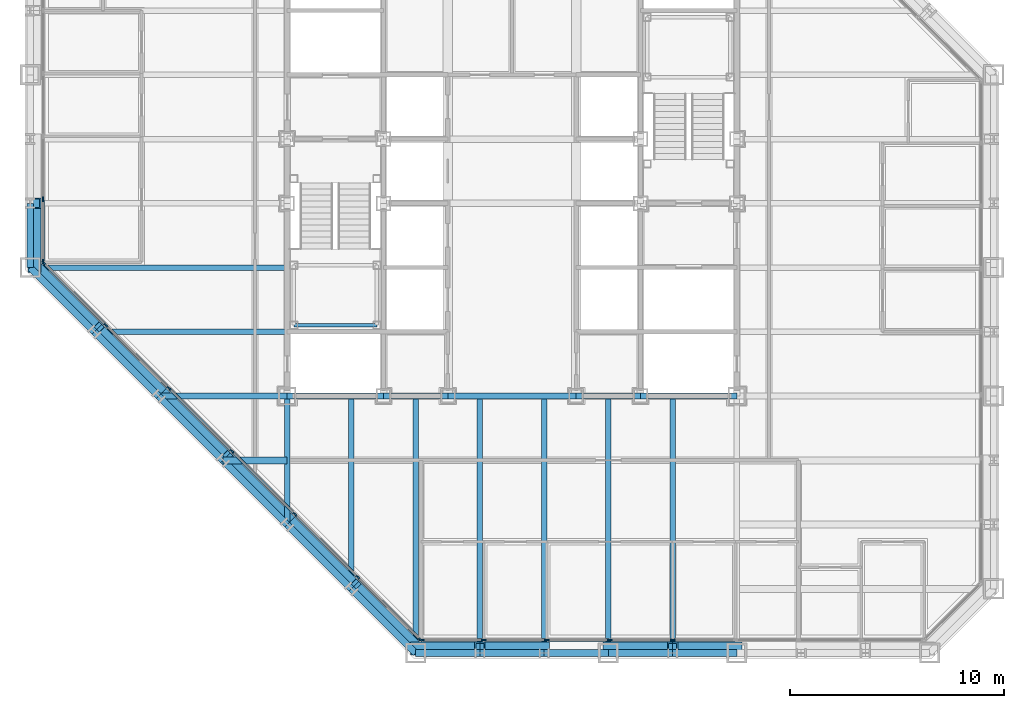
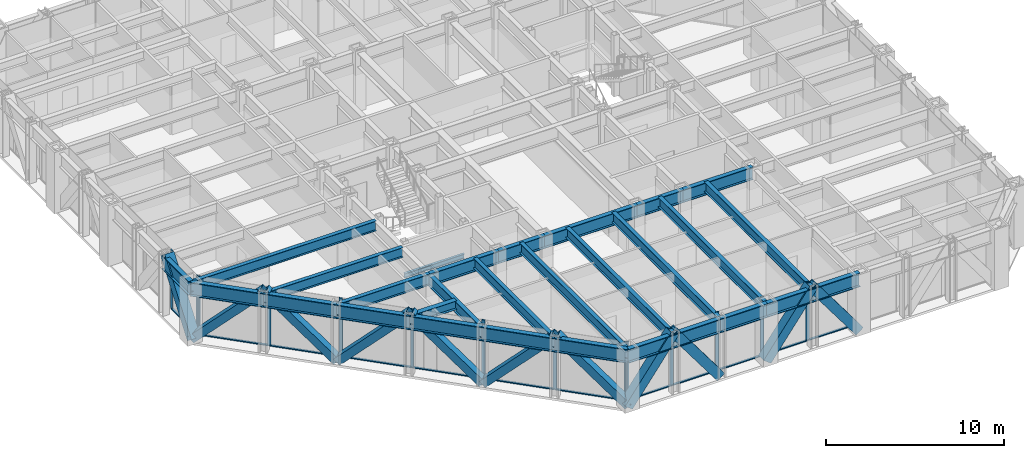
# One storey, part 4 of 16: 37 members, 29 beams, 3 elements without a shape of their own.
"""IFC4 building model written with IfcOpenShell, lengths in metres."""

from ifc_helpers import new_model, si_unit, direction, frame, origin, origin_2d, place, context, subcontext, project, spatial, rectangle, hollow_rectangle, i_section, extrude, material, layer, layer_set, material_profile, profile_set, type_object, element, aggregate, save


model = new_model("IFC4")

# Units and contexts
model_context = context("Model", 3, precision=1e-05, world=origin(), true_north=direction((0.0, 1.0)))
body_context = subcontext(model_context, "Body", "Model", "MODEL_VIEW")
ifc_project = project(units=[si_unit("LENGTHUNIT", "METRE"), si_unit("AREAUNIT", "SQUARE_METRE"), si_unit("VOLUMEUNIT", "CUBIC_METRE"), si_unit("PLANEANGLEUNIT", "RADIAN"), si_unit("MASSUNIT", "GRAM", prefix="KILO")], contexts=[model_context])

# Site, building, storey
site_placement = place(None, origin())
site = spatial("IfcSite", under=ifc_project, at=site_placement, CompositionType="ELEMENT")
building_placement = place(site_placement, origin())
building = spatial("IfcBuilding", under=site, at=building_placement, Name="Chuquiago Exchange Tower", CompositionType="ELEMENT")
storey_placement = place(building_placement, frame((0.0, 0.0, 106.800048828125)))
storey = spatial("IfcBuildingStorey", under=building, at=storey_placement, Name="L22", CompositionType="ELEMENT", Elevation=106.800048828125)

# Beams
ifc_material_1 = material(Name="Steel ASTM A992", Category="steel")
ifc_material_profile_1 = material_profile(ifc_material_1, i_section(OverallWidth=0.25390625, OverallDepth=0.683349609375, WebThickness=0.012451171875, FlangeThickness=0.018798828125, at=origin_2d()), Name="W27X94")
ifc_profile_set_1 = profile_set([ifc_material_profile_1], Name="Steel ASTM A992")
beam_type_1 = type_object("IfcBeamType", Name="B1 W27X94", PredefinedType="BEAM", material=ifc_profile_set_1)
beam_1_placement = place(storey_placement, frame((15.0, 12.0, 3.6982421875), z_axis=(0.0, -1.0, 0.0), x_axis=(1.0, 0.0, 0.0)))
element("IfcBeam", 1, at=beam_1_placement, inside=storey, type_object=beam_type_1, Name="FB-L23-infill-15_12-15_3-0", PredefinedType="BEAM", context=body_context, shape_type="SweptSolid", body=[
    extrude(i_section(OverallWidth=0.25390625, OverallDepth=0.683349609375, WebThickness=0.012451171875, FlangeThickness=0.018798828125, at=origin_2d()), origin(), (0.0, 0.0, 1.0), 9.0),
])
for number, where, z_axis, x_axis, name in (
    (2, (18.0, 12.0, 3.6982421875), (0.0, -1.0, 0.0), (1.0, 0.0, 0.0), "FB-L23-infill-18_12-18_-0-0"),
    (3, (21.0, 12.0, 3.6982421875), (0.0, -1.0, 0.0), (1.0, 0.0, 0.0), "FB-L23-infill-21_12-21_-0-0"),
    (4, (24.0, 12.0, 3.6982421875), (0.0, -1.0, 0.0), (1.0, 0.0, 0.0), "FB-L23-infill-24_12-24_-0-0"),
    (5, (27.0, 12.0, 3.6982421875), (0.0, -1.0, 0.0), (1.0, 0.0, 0.0), "FB-L23-infill-27_12-27_-0-0"),
    (6, (30.0, 12.0, 3.6982421875), (0.0, -1.0, 0.0), (1.0, 0.0, 0.0), "FB-L23-infill-30_12-30_-0-0"),
):
    element("IfcBeam", number, at=place(storey_placement, frame(where, z_axis=z_axis, x_axis=x_axis)), inside=storey, type_object=beam_type_1, Name=name, PredefinedType="BEAM", context=body_context, shape_type="SweptSolid", body=[
        extrude(i_section(OverallWidth=0.25390625, OverallDepth=0.683349609375, WebThickness=0.012451171875, FlangeThickness=0.018798828125, at=origin_2d()), origin(), (0.0, 0.0, 1.0), 12.0),
    ])
beam_2_placement = place(storey_placement, frame((12.0, 15.0, 3.6982421875), z_axis=(-1.0, 0.0, 0.0), x_axis=(0.0, -1.0, 0.0)))
element("IfcBeam", 7, at=beam_2_placement, inside=storey, type_object=beam_type_1, Name="FB-L23-infill-12_15-3_15-0", PredefinedType="BEAM", context=body_context, shape_type="SweptSolid", body=[
    extrude(i_section(OverallWidth=0.25390625, OverallDepth=0.683349609375, WebThickness=0.012451171875, FlangeThickness=0.018798828125, at=origin_2d()), origin(), (0.0, 0.0, 1.0), 9.0),
])
beam_3_placement = place(storey_placement, frame((12.0, 18.0, 3.6982421875), z_axis=(-1.0, 0.0, 0.0), x_axis=(0.0, -1.0, 0.0)))
element("IfcBeam", 8, at=beam_3_placement, inside=storey, type_object=beam_type_1, Name="FB-L23-infill-12_18--0_18-0", PredefinedType="BEAM", context=body_context, shape_type="SweptSolid", body=[
    extrude(i_section(OverallWidth=0.25390625, OverallDepth=0.683349609375, WebThickness=0.012451171875, FlangeThickness=0.018798828125, at=origin_2d()), origin(), (0.0, 0.0, 1.0), 12.0),
])
ifc_material_2 = material(Name="Steel ASTM A992", Category="steel")
ifc_material_profile_2 = material_profile(ifc_material_2, i_section(OverallWidth=0.3251953125, OverallDepth=0.612060546875, WebThickness=0.0126953125, FlangeThickness=0.01904296875, at=origin_2d()), Name="W24X104")
ifc_profile_set_2 = profile_set([ifc_material_profile_2], Name="Steel ASTM A992")
beam_type_2 = type_object("IfcBeamType", Name="B2 W24X104", PredefinedType="BEAM", material=ifc_profile_set_2)
beam_4_placement = place(storey_placement, frame((12.0, 9.0, 3.73388671875), z_axis=(-1.0, 0.0, 0.0), x_axis=(0.0, -1.0, 0.0)))
element("IfcBeam", 9, at=beam_4_placement, inside=storey, type_object=beam_type_2, Name="FB-L23-corner-12_9-9_9-0", PredefinedType="BEAM", context=body_context, shape_type="SweptSolid", body=[
    extrude(i_section(OverallWidth=0.3251953125, OverallDepth=0.612060546875, WebThickness=0.0126953125, FlangeThickness=0.01904296875, at=origin_2d()), origin(), (0.0, 0.0, 1.0), 3.0),
])
ifc_material_3 = material(Name="Steel ASTM A992", Category="steel")
ifc_material_profile_3 = material_profile(ifc_material_3, i_section(OverallWidth=0.2919921875, OverallDepth=0.8583984375, WebThickness=0.01708984375, FlangeThickness=0.031005859375, at=origin_2d()), Name="W33X169")
ifc_profile_set_3 = profile_set([ifc_material_profile_3], Name="Steel ASTM A992")
beam_type_3 = type_object("IfcBeamType", Name="B3 W33X169", PredefinedType="BEAM", material=ifc_profile_set_3)
beam_5_placement = place(storey_placement, frame((12.0, 12.0, 3.610595703125), z_axis=(1.0, 0.0, 0.0), x_axis=(0.0, 1.0, 0.0)))
element("IfcBeam", 10, at=beam_5_placement, inside=storey, type_object=beam_type_3, Name="CB-L23-12_12-16.5_12", PredefinedType="BEAM", context=body_context, shape_type="SweptSolid", body=[
    extrude(i_section(OverallWidth=0.2919921875, OverallDepth=0.8583984375, WebThickness=0.01708984375, FlangeThickness=0.031005859375, at=origin_2d()), origin(), (0.0, 0.0, 1.0), 4.5),
])
beam_6_placement = place(storey_placement, frame((16.5, 12.0, 3.610595703125), z_axis=(1.0, 0.0, 0.0), x_axis=(0.0, 1.0, 0.0)))
element("IfcBeam", 11, at=beam_6_placement, inside=storey, type_object=beam_type_3, Name="CB-L23-16.5_12-19.5_12", PredefinedType="BEAM", context=body_context, shape_type="SweptSolid", body=[
    extrude(i_section(OverallWidth=0.2919921875, OverallDepth=0.8583984375, WebThickness=0.01708984375, FlangeThickness=0.031005859375, at=origin_2d()), origin(), (0.0, 0.0, 1.0), 3.0),
])
beam_7_placement = place(storey_placement, frame((19.5, 12.0, 3.610595703125), z_axis=(1.0, 0.0, 0.0), x_axis=(0.0, 1.0, 0.0)))
element("IfcBeam", 12, at=beam_7_placement, inside=storey, type_object=beam_type_3, Name="CB-L23-19.5_12-25.5_12", PredefinedType="BEAM", context=body_context, shape_type="SweptSolid", body=[
    extrude(i_section(OverallWidth=0.2919921875, OverallDepth=0.8583984375, WebThickness=0.01708984375, FlangeThickness=0.031005859375, at=origin_2d()), origin(), (0.0, 0.0, 1.0), 6.0),
])
beam_8_placement = place(storey_placement, frame((25.5, 12.0, 3.610595703125), z_axis=(1.0, 0.0, 0.0), x_axis=(0.0, 1.0, 0.0)))
element("IfcBeam", 13, at=beam_8_placement, inside=storey, type_object=beam_type_3, Name="CB-L23-25.5_12-28.5_12", PredefinedType="BEAM", context=body_context, shape_type="SweptSolid", body=[
    extrude(i_section(OverallWidth=0.2919921875, OverallDepth=0.8583984375, WebThickness=0.01708984375, FlangeThickness=0.031005859375, at=origin_2d()), origin(), (0.0, 0.0, 1.0), 3.0),
])
beam_9_placement = place(storey_placement, frame((28.5, 12.0, 3.610595703125), z_axis=(1.0, 0.0, 0.0), x_axis=(0.0, 1.0, 0.0)))
element("IfcBeam", 14, at=beam_9_placement, inside=storey, type_object=beam_type_3, Name="CB-L23-28.5_12-33_12", PredefinedType="BEAM", context=body_context, shape_type="SweptSolid", body=[
    extrude(i_section(OverallWidth=0.2919921875, OverallDepth=0.8583984375, WebThickness=0.01708984375, FlangeThickness=0.031005859375, at=origin_2d()), origin(), (0.0, 0.0, 1.0), 4.5),
])

# Curtain wall, members
ifc_material_4 = material(Name="Aluminium curtain wall system", Category="aluminium")
ifc_layer_1 = layer(ifc_material_4, 0.22509765625)
ifc_layer_set_1 = layer_set([ifc_layer_1], Name="CW2 office curtain wall")
curtain_wall_type_1 = type_object("IfcCurtainWallType", Name="CW2 office curtain wall", PredefinedType="NOTDEFINED", material=ifc_layer_set_1)
curtain_wall_1_placement = place(storey_placement, origin())
curtain_wall_1 = element("IfcCurtainWall", 15, at=curtain_wall_1_placement, inside=storey, type_object=curtain_wall_type_1, Name="CW2 curtain wall L22", PredefinedType="NOTDEFINED")
ifc_material_5 = material(Name="Aluminium mullion, pale anodised", Category="aluminium")
ifc_material_profile_4 = material_profile(ifc_material_5, rectangle(XDim=0.06494140625, YDim=0.22509765625, at=origin_2d()), Name="AL 65x225")
ifc_profile_set_4 = profile_set([ifc_material_profile_4], Name="Aluminium mullion, pale anodised")
member_type_1 = type_object("IfcMemberType", Name="CW2-M mullion 65x225", PredefinedType="MULLION", material=ifc_profile_set_4)
member_1_placement = place(storey_placement, frame((18.281005859375, 0.60009765625, 0.0), z_axis=(0.0, 0.0, 1.0), x_axis=(0.0, 1.0, 0.0)))
member_1 = element("IfcMember", 16, at=member_1_placement, type_object=member_type_1, Name="CW2 mullion 1", PredefinedType="MULLION", context=body_context, shape_type="SweptSolid", body=[
    extrude(rectangle(XDim=0.06494140625, YDim=0.22509765625, at=origin_2d()), origin(), (0.0, 0.0, 1.0), 4.0400390625),
])
member_2_placement = place(storey_placement, frame((21.186279296875, 0.60009765625, 0.0), z_axis=(0.0, 0.0, 1.0), x_axis=(0.0, 1.0, 0.0)))
member_2 = element("IfcMember", 17, at=member_2_placement, type_object=member_type_1, Name="CW2 mullion 2", PredefinedType="MULLION", context=body_context, shape_type="SweptSolid", body=[
    extrude(rectangle(XDim=0.06494140625, YDim=0.22509765625, at=origin_2d()), origin(), (0.0, 0.0, 1.0), 4.0400390625),
])
member_3_placement = place(storey_placement, frame((24.124267578125, 0.60009765625, 0.0), z_axis=(0.0, 0.0, 1.0), x_axis=(0.0, 1.0, 0.0)))
member_3 = element("IfcMember", 18, at=member_3_placement, type_object=member_type_1, Name="CW2 mullion 3", PredefinedType="MULLION", context=body_context, shape_type="SweptSolid", body=[
    extrude(rectangle(XDim=0.06494140625, YDim=0.22509765625, at=origin_2d()), origin(), (0.0, 0.0, 1.0), 4.0400390625),
])
member_4_placement = place(storey_placement, frame((27.06201171875, 0.60009765625, 0.0), z_axis=(0.0, 0.0, 1.0), x_axis=(0.0, 1.0, 0.0)))
member_4 = element("IfcMember", 19, at=member_4_placement, type_object=member_type_1, Name="CW2 mullion 4", PredefinedType="MULLION", context=body_context, shape_type="SweptSolid", body=[
    extrude(rectangle(XDim=0.06494140625, YDim=0.22509765625, at=origin_2d()), origin(), (0.0, 0.0, 1.0), 4.0400390625),
])
member_5_placement = place(storey_placement, frame((30.0, 0.60009765625, 0.0), z_axis=(0.0, 0.0, 1.0), x_axis=(0.0, 1.0, 0.0)))
member_5 = element("IfcMember", 20, at=member_5_placement, type_object=member_type_1, Name="CW2 mullion 5", PredefinedType="MULLION", context=body_context, shape_type="SweptSolid", body=[
    extrude(rectangle(XDim=0.06494140625, YDim=0.22509765625, at=origin_2d()), origin(), (0.0, 0.0, 1.0), 4.0400390625),
])

curtain_wall_2_placement = place(storey_placement, origin())
curtain_wall_2 = element("IfcCurtainWall", 21, at=curtain_wall_2_placement, inside=storey, type_object=curtain_wall_type_1, Name="CW2 curtain wall L22", PredefinedType="NOTDEFINED")
member_6_placement = place(storey_placement, frame((0.60009765625, 21.186279296875, 0.0), z_axis=(0.0, 0.0, 1.0), x_axis=(1.0, 0.0, 0.0)))
member_6 = element("IfcMember", 22, at=member_6_placement, type_object=member_type_1, Name="CW2 mullion 8", PredefinedType="MULLION", context=body_context, shape_type="SweptSolid", body=[
    extrude(rectangle(XDim=0.06494140625, YDim=0.22509765625, at=origin_2d()), origin(), (0.0, 0.0, 1.0), 4.0400390625),
])
member_7_placement = place(storey_placement, frame((0.60009765625, 18.281005859375, 0.0), z_axis=(0.0, 0.0, 1.0), x_axis=(1.0, 0.0, 0.0)))
member_7 = element("IfcMember", 23, at=member_7_placement, type_object=member_type_1, Name="CW2 mullion 9", PredefinedType="MULLION", context=body_context, shape_type="SweptSolid", body=[
    extrude(rectangle(XDim=0.06494140625, YDim=0.22509765625, at=origin_2d()), origin(), (0.0, 0.0, 1.0), 4.0400390625),
])

# Member
ifc_material_6 = material(Name="Aluminium transom, pale anodised", Category="aluminium")
ifc_material_profile_5 = material_profile(ifc_material_6, rectangle(XDim=0.139892578125, YDim=0.06494140625, at=origin_2d()), Name="AL 140x65")
ifc_profile_set_5 = profile_set([ifc_material_profile_5], Name="Aluminium transom, pale anodised")
member_type_2 = type_object("IfcMemberType", Name="CW2-T transom 65x140", PredefinedType="MULLION", material=ifc_profile_set_5)
member_8_placement = place(storey_placement, frame((18.3134765625, 0.60009765625, 0.032470703125), z_axis=(1.0, 0.0, 0.0), x_axis=(0.0, 1.0, 0.0)))
member_8 = element("IfcMember", 24, at=member_8_placement, type_object=member_type_2, Name="CW2 transom 1.1", PredefinedType="MULLION", context=body_context, shape_type="SweptSolid", body=[
    extrude(rectangle(XDim=0.139892578125, YDim=0.06494140625, at=origin_2d()), origin(), (0.0, 0.0, 1.0), 2.84033203125),
])

member_9_placement = place(storey_placement, frame((21.218994140625, 0.60009765625, 0.032470703125), z_axis=(1.0, 0.0, 0.0), x_axis=(0.0, 1.0, 0.0)))
member_9 = element("IfcMember", 25, at=member_9_placement, type_object=member_type_2, Name="CW2 transom 2.1", PredefinedType="MULLION", context=body_context, shape_type="SweptSolid", body=[
    extrude(rectangle(XDim=0.139892578125, YDim=0.06494140625, at=origin_2d()), origin(), (0.0, 0.0, 1.0), 2.872802734375),
])

member_10_placement = place(storey_placement, frame((24.15673828125, 0.60009765625, 0.032470703125), z_axis=(1.0, 0.0, 0.0), x_axis=(0.0, 1.0, 0.0)))
member_10 = element("IfcMember", 26, at=member_10_placement, type_object=member_type_2, Name="CW2 transom 3.1", PredefinedType="MULLION", context=body_context, shape_type="SweptSolid", body=[
    extrude(rectangle(XDim=0.139892578125, YDim=0.06494140625, at=origin_2d()), origin(), (0.0, 0.0, 1.0), 2.872802734375),
])

member_11_placement = place(storey_placement, frame((27.0947265625, 0.60009765625, 0.032470703125), z_axis=(1.0, 0.0, 0.0), x_axis=(0.0, 1.0, 0.0)))
member_11 = element("IfcMember", 27, at=member_11_placement, type_object=member_type_2, Name="CW2 transom 4.1", PredefinedType="MULLION", context=body_context, shape_type="SweptSolid", body=[
    extrude(rectangle(XDim=0.139892578125, YDim=0.06494140625, at=origin_2d()), origin(), (0.0, 0.0, 1.0), 2.872802734375),
])

member_12_placement = place(storey_placement, frame((30.032470703125, 0.60009765625, 0.032470703125), z_axis=(1.0, 0.0, 0.0), x_axis=(0.0, 1.0, 0.0)))
member_12 = element("IfcMember", 28, at=member_12_placement, type_object=member_type_2, Name="CW2 transom 5.1", PredefinedType="MULLION", context=body_context, shape_type="SweptSolid", body=[
    extrude(rectangle(XDim=0.139892578125, YDim=0.06494140625, at=origin_2d()), origin(), (0.0, 0.0, 1.0), 2.872802734375),
])

aggregate(curtain_wall_1, [member_1, member_2, member_3, member_4, member_5, member_8, member_9, member_10, member_11, member_12])

member_13_placement = place(storey_placement, frame((0.60009765625, 21.15380859375, 0.032470703125), z_axis=(0.0, -1.0, 0.0), x_axis=(1.0, 0.0, 0.0)))
member_13 = element("IfcMember", 29, at=member_13_placement, type_object=member_type_2, Name="CW2 transom 8.1", PredefinedType="MULLION", context=body_context, shape_type="SweptSolid", body=[
    extrude(rectangle(XDim=0.139892578125, YDim=0.06494140625, at=origin_2d()), origin(), (0.0, 0.0, 1.0), 2.84033203125),
])

aggregate(curtain_wall_2, [member_6, member_7, member_13])

# Curtain wall, members
ifc_material_7 = material(Name="Aluminium curtain wall system", Category="aluminium")
ifc_layer_2 = layer(ifc_material_7, 0.199951171875)
ifc_layer_set_2 = layer_set([ifc_layer_2], Name="CW3 facet curtain wall")
curtain_wall_type_2 = type_object("IfcCurtainWallType", Name="CW3 facet curtain wall", PredefinedType="NOTDEFINED", material=ifc_layer_set_2)
curtain_wall_3_placement = place(storey_placement, origin())
curtain_wall_3 = element("IfcCurtainWall", 30, at=curtain_wall_3_placement, inside=storey, type_object=curtain_wall_type_2, Name="CW3 curtain wall L22", PredefinedType="NOTDEFINED")
ifc_material_8 = material(Name="Aluminium mullion, pale anodised", Category="aluminium")
ifc_material_profile_6 = material_profile(ifc_material_8, rectangle(XDim=0.06494140625, YDim=0.199951171875, at=origin_2d()), Name="AL 65x200")
ifc_profile_set_6 = profile_set([ifc_material_profile_6], Name="Aluminium mullion, pale anodised")
member_type_3 = type_object("IfcMemberType", Name="CW3-M mullion 65x200", PredefinedType="MULLION", material=ifc_profile_set_6)
member_14_placement = place(storey_placement, frame((0.623046875, 18.2255859375, 0.0), z_axis=(0.0, 0.0, 1.0), x_axis=(0.707106781187, 0.707106781187, 0.0)))
member_14 = element("IfcMember", 31, at=member_14_placement, type_object=member_type_3, Name="CW3 mullion 1", PredefinedType="MULLION", context=body_context, shape_type="SweptSolid", body=[
    extrude(rectangle(XDim=0.06494140625, YDim=0.199951171875, at=origin_2d()), origin(), (0.0, 0.0, 1.0), 4.0400390625),
])
member_15_placement = place(storey_placement, frame((3.54150390625, 15.30712890625, 0.0), z_axis=(0.0, 0.0, 1.0), x_axis=(0.707106781187, 0.707106781187, 0.0)))
member_15 = element("IfcMember", 32, at=member_15_placement, type_object=member_type_3, Name="CW3 mullion 2", PredefinedType="MULLION", context=body_context, shape_type="SweptSolid", body=[
    extrude(rectangle(XDim=0.06494140625, YDim=0.199951171875, at=origin_2d()), origin(), (0.0, 0.0, 1.0), 4.0400390625),
])
member_16_placement = place(storey_placement, frame((6.48291015625, 12.36572265625, 0.0), z_axis=(0.0, 0.0, 1.0), x_axis=(0.707106781187, 0.707106781187, 0.0)))
member_16 = element("IfcMember", 33, at=member_16_placement, type_object=member_type_3, Name="CW3 mullion 3", PredefinedType="MULLION", context=body_context, shape_type="SweptSolid", body=[
    extrude(rectangle(XDim=0.06494140625, YDim=0.199951171875, at=origin_2d()), origin(), (0.0, 0.0, 1.0), 4.0400390625),
])
member_17_placement = place(storey_placement, frame((9.42431640625, 9.42431640625, 0.0), z_axis=(0.0, 0.0, 1.0), x_axis=(0.707106781187, 0.707106781187, 0.0)))
member_17 = element("IfcMember", 34, at=member_17_placement, type_object=member_type_3, Name="CW3 mullion 4", PredefinedType="MULLION", context=body_context, shape_type="SweptSolid", body=[
    extrude(rectangle(XDim=0.06494140625, YDim=0.199951171875, at=origin_2d()), origin(), (0.0, 0.0, 1.0), 4.0400390625),
])
member_18_placement = place(storey_placement, frame((12.36572265625, 6.48291015625, 0.0), z_axis=(0.0, 0.0, 1.0), x_axis=(0.707106781187, 0.707106781187, 0.0)))
member_18 = element("IfcMember", 35, at=member_18_placement, type_object=member_type_3, Name="CW3 mullion 5", PredefinedType="MULLION", context=body_context, shape_type="SweptSolid", body=[
    extrude(rectangle(XDim=0.06494140625, YDim=0.199951171875, at=origin_2d()), origin(), (0.0, 0.0, 1.0), 4.0400390625),
])
member_19_placement = place(storey_placement, frame((15.30712890625, 3.54150390625, 0.0), z_axis=(0.0, 0.0, 1.0), x_axis=(0.707106781187, 0.707106781187, 0.0)))
member_19 = element("IfcMember", 36, at=member_19_placement, type_object=member_type_3, Name="CW3 mullion 6", PredefinedType="MULLION", context=body_context, shape_type="SweptSolid", body=[
    extrude(rectangle(XDim=0.06494140625, YDim=0.199951171875, at=origin_2d()), origin(), (0.0, 0.0, 1.0), 4.0400390625),
])
member_20_placement = place(storey_placement, frame((18.2255859375, 0.623046875, 0.0), z_axis=(0.0, 0.0, 1.0), x_axis=(0.707106781187, 0.707106781187, 0.0)))
member_20 = element("IfcMember", 37, at=member_20_placement, type_object=member_type_3, Name="CW3 mullion 7", PredefinedType="MULLION", context=body_context, shape_type="SweptSolid", body=[
    extrude(rectangle(XDim=0.06494140625, YDim=0.199951171875, at=origin_2d()), origin(), (0.0, 0.0, 1.0), 4.0400390625),
])
ifc_material_9 = material(Name="Aluminium transom, pale anodised", Category="aluminium")
ifc_material_profile_7 = material_profile(ifc_material_9, rectangle(XDim=0.139892578125, YDim=0.06494140625, at=origin_2d()), Name="AL 140x65")
ifc_profile_set_7 = profile_set([ifc_material_profile_7], Name="Aluminium transom, pale anodised")
member_type_4 = type_object("IfcMemberType", Name="CW3-T transom 65x140", PredefinedType="MULLION", material=ifc_profile_set_7)
member_21_placement = place(storey_placement, frame((0.64599609375, 18.20263671875, 0.032470703125), z_axis=(0.707106781187, -0.707106781187, 0.0), x_axis=(0.707106781187, 0.707106781187, 0.0)))
member_21 = element("IfcMember", 38, at=member_21_placement, type_object=member_type_4, Name="CW3 transom 1.1", PredefinedType="MULLION", context=body_context, shape_type="SweptSolid", body=[
    extrude(rectangle(XDim=0.139892578125, YDim=0.06494140625, at=origin_2d()), origin(), (0.0, 0.0, 1.0), 4.0625),
])
member_22_placement = place(storey_placement, frame((3.564453125, 15.2841796875, 0.032470703125), z_axis=(0.707106781187, -0.707106781187, 0.0), x_axis=(0.707106781187, 0.707106781187, 0.0)))
member_22 = element("IfcMember", 39, at=member_22_placement, type_object=member_type_4, Name="CW3 transom 2.1", PredefinedType="MULLION", context=body_context, shape_type="SweptSolid", body=[
    extrude(rectangle(XDim=0.139892578125, YDim=0.06494140625, at=origin_2d()), origin(), (0.0, 0.0, 1.0), 4.094970703125),
])
member_23_placement = place(storey_placement, frame((6.505859375, 12.3427734375, 0.032470703125), z_axis=(0.707106781187, -0.707106781187, 0.0), x_axis=(0.707106781187, 0.707106781187, 0.0)))
member_23 = element("IfcMember", 40, at=member_23_placement, type_object=member_type_4, Name="CW3 transom 3.1", PredefinedType="MULLION", context=body_context, shape_type="SweptSolid", body=[
    extrude(rectangle(XDim=0.139892578125, YDim=0.06494140625, at=origin_2d()), origin(), (0.0, 0.0, 1.0), 4.094970703125),
])
member_24_placement = place(storey_placement, frame((9.447265625, 9.4013671875, 0.032470703125), z_axis=(0.707106781187, -0.707106781187, 0.0), x_axis=(0.707106781187, 0.707106781187, 0.0)))
member_24 = element("IfcMember", 41, at=member_24_placement, type_object=member_type_4, Name="CW3 transom 4.1", PredefinedType="MULLION", context=body_context, shape_type="SweptSolid", body=[
    extrude(rectangle(XDim=0.139892578125, YDim=0.06494140625, at=origin_2d()), origin(), (0.0, 0.0, 1.0), 4.094970703125),
])
member_25_placement = place(storey_placement, frame((12.388671875, 6.4599609375, 0.032470703125), z_axis=(0.707106781187, -0.707106781187, 0.0), x_axis=(0.707106781187, 0.707106781187, 0.0)))
member_25 = element("IfcMember", 42, at=member_25_placement, type_object=member_type_4, Name="CW3 transom 5.1", PredefinedType="MULLION", context=body_context, shape_type="SweptSolid", body=[
    extrude(rectangle(XDim=0.139892578125, YDim=0.06494140625, at=origin_2d()), origin(), (0.0, 0.0, 1.0), 4.094970703125),
])
member_26_placement = place(storey_placement, frame((15.330078125, 3.5185546875, 0.032470703125), z_axis=(0.707106781187, -0.707106781187, 0.0), x_axis=(0.707106781187, 0.707106781187, 0.0)))
member_26 = element("IfcMember", 43, at=member_26_placement, type_object=member_type_4, Name="CW3 transom 6.1", PredefinedType="MULLION", context=body_context, shape_type="SweptSolid", body=[
    extrude(rectangle(XDim=0.139892578125, YDim=0.06494140625, at=origin_2d()), origin(), (0.0, 0.0, 1.0), 4.0625),
])
aggregate(curtain_wall_3, [member_14, member_15, member_16, member_17, member_18, member_19, member_20, member_21, member_22, member_23, member_24, member_25, member_26])

# Beams
ifc_material_10 = material(Name="Steel ASTM A992", Category="steel")
ifc_material_profile_8 = material_profile(ifc_material_10, i_section(OverallWidth=0.2666015625, OverallDepth=0.76953125, WebThickness=0.015625, FlangeThickness=0.025390625, at=origin_2d()), Name="W30X132")
ifc_profile_set_8 = profile_set([ifc_material_profile_8], Name="Steel ASTM A992")
beam_type_4 = type_object("IfcBeamType", Name="G1 W30X132", PredefinedType="BEAM", material=ifc_profile_set_8)
for number, where, z_axis, x_axis, name in (
    (44, (12.0, 12.0, 3.655029296875), (0.0, -1.0, 0.0), (1.0, 0.0, 0.0), "FB-L23-girder-12_12-12_6-0"),
    (45, (12.0, 12.0, 3.655029296875), (-1.0, 0.0, 0.0), (0.0, -1.0, 0.0), "FB-L23-girder-12_12-6_12-0"),
):
    element("IfcBeam", number, at=place(storey_placement, frame(where, z_axis=z_axis, x_axis=x_axis)), inside=storey, type_object=beam_type_4, Name=name, PredefinedType="BEAM", context=body_context, shape_type="SweptSolid", body=[
        extrude(i_section(OverallWidth=0.2666015625, OverallDepth=0.76953125, WebThickness=0.015625, FlangeThickness=0.025390625, at=origin_2d()), origin(), (0.0, 0.0, 1.0), 6.0),
    ])

# Members
ifc_material_11 = material(Name="Steel ASTM A500 Grade C", Category="steel")
ifc_material_profile_9 = material_profile(ifc_material_11, hollow_rectangle(XDim=0.508056640625, YDim=0.508056640625, WallThickness=0.017822265625, at=origin_2d()), Name="HSS20X20X3/4")
ifc_profile_set_9 = profile_set([ifc_material_profile_9], Name="Steel ASTM A500 Grade C")
member_type_5 = type_object("IfcMemberType", Name="LB1 HSS20X20X3/4", PredefinedType="BRACE", material=ifc_profile_set_9)
for number, where, z_axis, x_axis, name in (
    (46, (0.177490234375, 18.177490234375, 0.0), (0.512077265487, -0.512077265487, 0.689604051861), (0.707106781187, 0.707106781187, 0.0), "LB-L22-0_18-3_15"),
    (47, (6.177490234375, 12.177490234375, 0.0), (-0.512077265487, 0.512077265487, 0.689604051861), (-0.707106781187, -0.707106781187, 0.0), "LB-L22-3_15-6_12"),
    (48, (6.177490234375, 12.177490234375, 0.0), (0.512077265487, -0.512077265487, 0.689604051861), (0.707106781187, 0.707106781187, 0.0), "LB-L22-6_12-9_9"),
    (49, (12.177490234375, 6.177490234375, 0.0), (-0.512077265487, 0.512077265487, 0.689604051861), (-0.707106781187, -0.707106781187, 0.0), "LB-L22-9_9-12_6"),
    (50, (12.177490234375, 6.177490234375, 0.0), (0.512077265487, -0.512077265487, 0.689604051861), (0.707106781187, 0.707106781187, 0.0), "LB-L22-12_6-15_3"),
    (51, (18.177490234375, 0.177490234375, 0.0), (-0.512077265487, 0.512077265487, 0.689604051861), (-0.707106781187, -0.707106781187, 0.0), "LB-L22-15_3-18_0"),
):
    element("IfcMember", number, at=place(storey_placement, frame(where, z_axis=z_axis, x_axis=x_axis)), inside=storey, type_object=member_type_5, Name=name, PredefinedType="BRACE", context=body_context, shape_type="SweptSolid", body=[
        extrude(hollow_rectangle(XDim=0.508056640625, YDim=0.508056640625, WallThickness=0.017822265625, at=origin_2d()), origin(), (0.0, 0.0, 1.0), 5.8583984375),
    ])

# Beam
ifc_material_12 = material(Name="Steel ASTM A992", Category="steel")
ifc_material_profile_10 = material_profile(ifc_material_12, i_section(OverallWidth=0.164794921875, OverallDepth=0.309814453125, WebThickness=0.005859375, FlangeThickness=0.009765625, at=origin_2d()), Name="W12X26")
ifc_profile_set_10 = profile_set([ifc_material_profile_10], Name="Steel ASTM A992")
beam_type_5 = type_object("IfcBeamType", Name="LT1 W12X26", PredefinedType="BEAM", material=ifc_profile_set_10)
beam_10_placement = place(storey_placement, frame((12.31005859375, 15.31005859375, 1.7451171875), z_axis=(1.0, 0.0, 0.0), x_axis=(0.0, 1.0, 0.0)))
element("IfcBeam", 52, at=beam_10_placement, inside=storey, type_object=beam_type_5, Name="Stair ST1 L22 landing 1 trimmer", PredefinedType="BEAM", context=body_context, shape_type="SweptSolid", body=[
    extrude(i_section(OverallWidth=0.164794921875, OverallDepth=0.309814453125, WebThickness=0.005859375, FlangeThickness=0.009765625, at=origin_2d()), origin(), (0.0, 0.0, 1.0), 3.8798828125),
])

# Members
ifc_material_13 = material(Name="Steel ASTM A572 Grade 50", Category="steel")
ifc_material_profile_11 = material_profile(ifc_material_13, hollow_rectangle(XDim=0.60009765625, YDim=0.60009765625, WallThickness=0.06005859375, at=origin_2d()), Name="BOX600X600X60")
ifc_profile_set_11 = profile_set([ifc_material_profile_11], Name="Steel ASTM A572 Grade 50")
member_type_6 = type_object("IfcMemberType", Name="MB2 BOX600X600X60", PredefinedType="BRACE", material=ifc_profile_set_11)
for number, where, z_axis, x_axis, name in (
    (53, (18.0, 0.205078125, 0.0), (0.596173923302, 0.0, 0.802855312728), (0.0, 1.0, 0.0), "Mega diagonal L22 S face"),
    (54, (24.0, 0.205078125, 0.0), (-0.596173923302, 0.0, 0.802855312728), (0.0, -1.0, 0.0), "Mega diagonal L22 S face"),
    (55, (27.0, 0.205078125, 0.0), (0.596173923302, 0.0, 0.802855312728), (0.0, 1.0, 0.0), "Mega diagonal L22 S face"),
    (56, (33.0, 0.205078125, 0.0), (-0.596173923302, 0.0, 0.802855312728), (0.0, -1.0, 0.0), "Mega diagonal L22 S face"),
    (57, (0.205078125, 18.0, 0.0), (0.0, 0.596173923302, 0.802855312728), (-1.0, 0.0, 0.0), "Mega diagonal L22 W face"),
):
    element("IfcMember", number, at=place(storey_placement, frame(where, z_axis=z_axis, x_axis=x_axis)), inside=storey, type_object=member_type_6, Name=name, PredefinedType="BRACE", context=body_context, shape_type="SweptSolid", body=[
        extrude(hollow_rectangle(XDim=0.60009765625, YDim=0.60009765625, WallThickness=0.06005859375, at=origin_2d()), origin(), (0.0, 0.0, 1.0), 5.031982421875),
    ])

# Beams
ifc_material_14 = material(Name="Steel ASTM A992", Category="steel")
ifc_material_profile_12 = material_profile(ifc_material_14, i_section(OverallWidth=0.309814453125, OverallDepth=0.949951171875, WebThickness=0.0244140625, FlangeThickness=0.0439453125, at=origin_2d()), Name="W36X256")
ifc_profile_set_12 = profile_set([ifc_material_profile_12], Name="Steel ASTM A992")
beam_type_6 = type_object("IfcBeamType", Name="SP2 W36X256", PredefinedType="SPANDREL", material=ifc_profile_set_12)
for number, where, z_axis, x_axis, name in (
    (58, (18.0, 0.0, 3.56494140625), (1.0, 0.0, 0.0), (0.0, 1.0, 0.0), "SPB-L23-18_0-21_0"),
    (59, (21.0, 0.0, 3.56494140625), (1.0, 0.0, 0.0), (0.0, 1.0, 0.0), "SPB-L23-21_0-24_0"),
    (60, (24.0, 0.0, 3.56494140625), (1.0, 0.0, 0.0), (0.0, 1.0, 0.0), "SPB-L23-24_0-27_0"),
    (61, (27.0, 0.0, 3.56494140625), (1.0, 0.0, 0.0), (0.0, 1.0, 0.0), "SPB-L23-27_0-30_0"),
    (62, (30.0, 0.0, 3.56494140625), (1.0, 0.0, 0.0), (0.0, 1.0, 0.0), "SPB-L23-30_0-33_0"),
    (63, (0.0, 21.0, 3.56494140625), (0.0, -1.0, 0.0), (1.0, 0.0, 0.0), "SPB-L23-0_21-0_18"),
):
    element("IfcBeam", number, at=place(storey_placement, frame(where, z_axis=z_axis, x_axis=x_axis)), inside=storey, type_object=beam_type_6, Name=name, PredefinedType="SPANDREL", context=body_context, shape_type="SweptSolid", body=[
        extrude(i_section(OverallWidth=0.309814453125, OverallDepth=0.949951171875, WebThickness=0.0244140625, FlangeThickness=0.0439453125, at=origin_2d()), origin(), (0.0, 0.0, 1.0), 3.0),
    ])
for number, where, z_axis, x_axis, name in (
    (64, (0.0, 18.0, 3.56494140625), (0.707106781187, -0.707106781187, 0.0), (0.707106781187, 0.707106781187, 0.0), "SPB-L23-0_18-3_15"),
    (65, (3.0, 15.0, 3.56494140625), (0.707106781187, -0.707106781187, 0.0), (0.707106781187, 0.707106781187, 0.0), "SPB-L23-3_15-6_12"),
    (66, (6.0, 12.0, 3.56494140625), (0.707106781187, -0.707106781187, 0.0), (0.707106781187, 0.707106781187, 0.0), "SPB-L23-6_12-9_9"),
    (67, (9.0, 9.0, 3.56494140625), (0.707106781187, -0.707106781187, 0.0), (0.707106781187, 0.707106781187, 0.0), "SPB-L23-9_9-12_6"),
    (68, (12.0, 6.0, 3.56494140625), (0.707106781187, -0.707106781187, 0.0), (0.707106781187, 0.707106781187, 0.0), "SPB-L23-12_6-15_3"),
    (69, (15.0, 3.0, 3.56494140625), (0.707106781187, -0.707106781187, 0.0), (0.707106781187, 0.707106781187, 0.0), "SPB-L23-15_3-18_0"),
):
    element("IfcBeam", number, at=place(storey_placement, frame(where, z_axis=z_axis, x_axis=x_axis)), inside=storey, type_object=beam_type_6, Name=name, PredefinedType="SPANDREL", context=body_context, shape_type="SweptSolid", body=[
        extrude(i_section(OverallWidth=0.309814453125, OverallDepth=0.949951171875, WebThickness=0.0244140625, FlangeThickness=0.0439453125, at=origin_2d()), origin(), (0.0, 0.0, 1.0), 4.24267578125),
    ])

save(model, "model.ifc")
